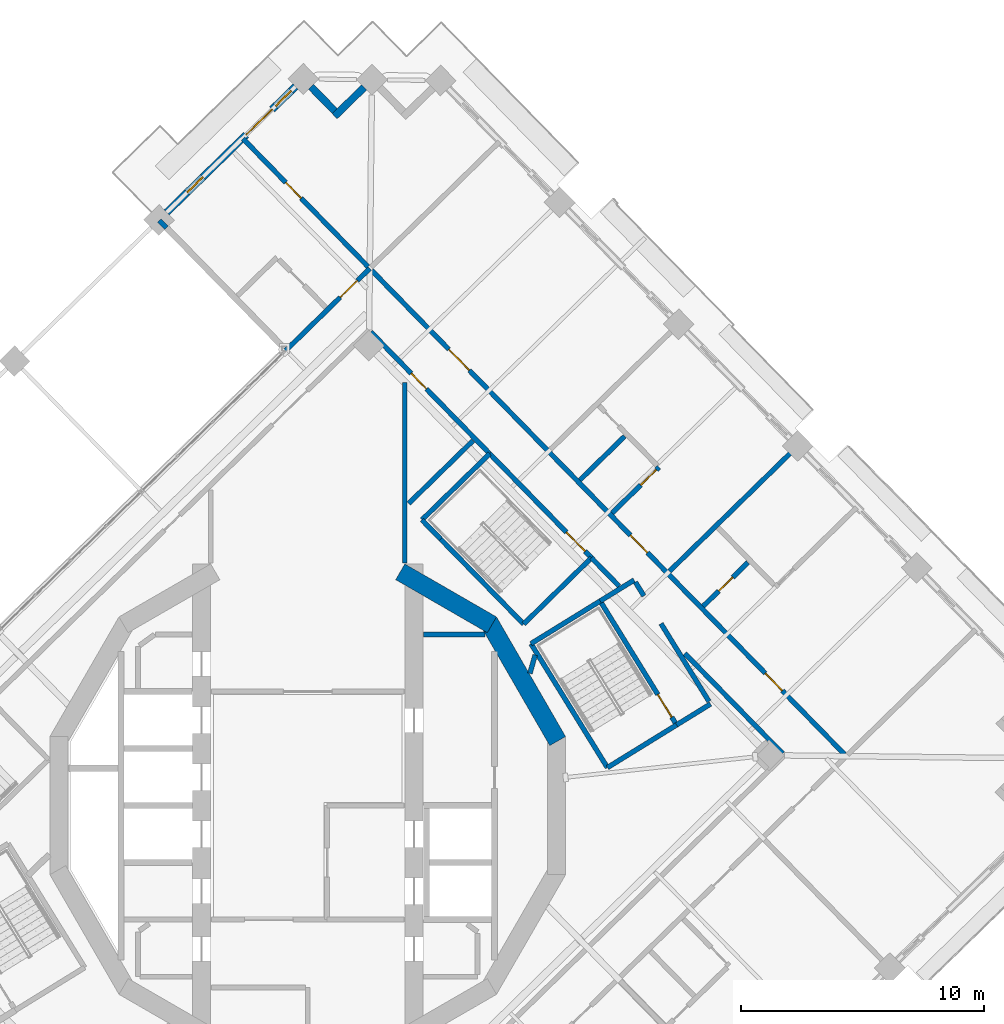
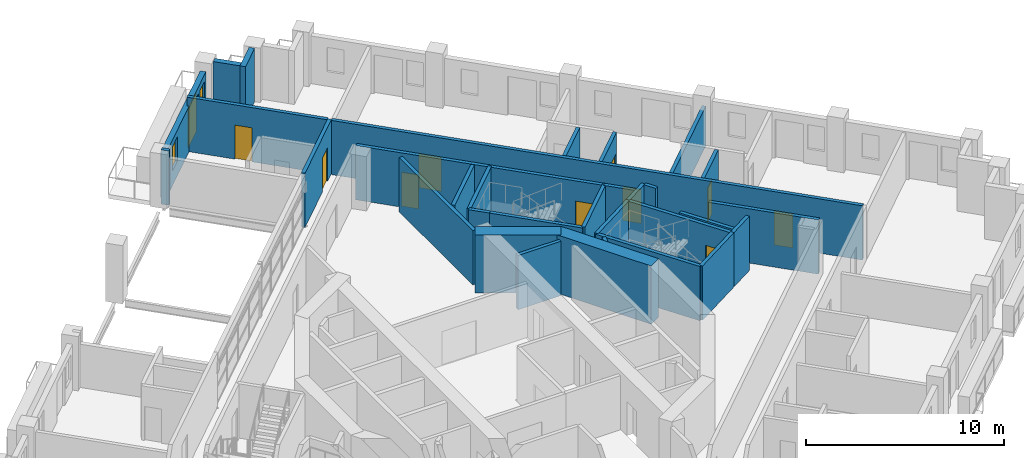
# One storey, part 10 of 18: 33 walls, 11 doors, 2 windows, 13 openings.
"""IFC4 building model written with IfcOpenShell, lengths in metres."""

import ifcopenshell
import ifcopenshell.guid

model = None  # the IFC model being written
_history = None  # IfcOwnerHistory: only IFC2X3 demands one
_inside = {}  # id of a spatial element -> (the spatial element, [elements in it])
_under = {}  # id of a project, library or spatial element -> (it, [spatial elements below it])
_declared = {}  # id of a project -> (the project, [libraries it declares])
_typed = {}  # id of a type object -> (the type object, [elements of that type])
_made_of = {}  # id of a material, layer set ... -> (it, [elements and type objects made of it])


def new_model(schema):
    """Start an empty IFC model of exactly this schema.

    Asked for "IFC4X3", IfcOpenShell would pick the latest addendum, in which some entities
    have other attributes; the version numbers below select the first issue.
    IFC2X3 requires an IfcOwnerHistory on every rooted entity: one is made here for all.
    """
    global model, _history
    if schema == "IFC4X3":
        model = ifcopenshell.file(schema_version=(4, 3, 0, 0))
    else:
        model = ifcopenshell.file(schema=schema)
    _inside.clear()
    _under.clear()
    _declared.clear()
    _typed.clear()
    _made_of.clear()
    _history = None
    if model.schema == "IFC2X3":
        org = make("IfcOrganization", Name="unknown")
        user = make(
            "IfcPersonAndOrganization",
            ThePerson=make("IfcPerson", FamilyName="unknown"),
            TheOrganization=org,
        )
        app = make(
            "IfcApplication",
            ApplicationDeveloper=org,
            Version="unknown",
            ApplicationFullName="unknown",
            ApplicationIdentifier="unknown",
        )
        _history = make(
            "IfcOwnerHistory",
            OwningUser=user,
            OwningApplication=app,
            ChangeAction="ADDED",
            CreationDate=0,
        )
    return model


def make(cls, **values):
    """One entity of the class cls with the attributes given. An attribute that is None is left unset."""
    return model.create_entity(
        cls, **{name: value for name, value in values.items() if value is not None}
    )


def rooted(cls, **values):
    """An entity with a GlobalId (a new one), such as an element, a storey or a relation."""
    return make(cls, GlobalId=ifcopenshell.guid.new(), OwnerHistory=_history, **values)


def si_unit(unit_type, name, prefix=None):
    """IfcSIUnit, for example si_unit("LENGTHUNIT", "METRE", prefix="MILLI")."""
    return make("IfcSIUnit", UnitType=unit_type, Prefix=prefix, Name=name)


def assignment(units):
    """IfcUnitAssignment: the units of a project."""
    return None if units is None else make("IfcUnitAssignment", Units=units)


def point(xyz):
    """IfcCartesianPoint."""
    return None if xyz is None else make("IfcCartesianPoint", Coordinates=xyz)


def direction(xyz):
    """IfcDirection."""
    return None if xyz is None else make("IfcDirection", DirectionRatios=xyz)


def frame(location, z_axis=None, x_axis=None):
    """IfcAxis2Placement3D, a coordinate frame: its origin and axes. An axis left out is left unset."""
    return make(
        "IfcAxis2Placement3D",
        Location=point(location),
        Axis=direction(z_axis),
        RefDirection=direction(x_axis),
    )


def frame_2d(location, x_axis=None):
    """IfcAxis2Placement2D, a coordinate frame in the plane: its origin and x axis."""
    return make(
        "IfcAxis2Placement2D", Location=point(location), RefDirection=direction(x_axis)
    )


def origin():
    """The frame at (0, 0, 0) with its axes left unset."""
    return frame((0.0, 0.0, 0.0))


def place(relative_to, where):
    """IfcLocalPlacement: puts the frame where relative to a parent placement (None: the world)."""
    return make(
        "IfcLocalPlacement", PlacementRelTo=relative_to, RelativePlacement=where
    )


def context(
    kind, dimensions, precision=None, world=None, true_north=None, identifier=None
):
    """IfcGeometricRepresentationContext, for example the 3D "Model" context."""
    return make(
        "IfcGeometricRepresentationContext",
        ContextIdentifier=identifier,
        ContextType=kind,
        CoordinateSpaceDimension=dimensions,
        Precision=precision,
        WorldCoordinateSystem=world,
        TrueNorth=true_north,
    )


def subcontext(parent, identifier, kind, view, scale=None):
    """IfcGeometricRepresentationSubContext, for example "Body" below "Model"."""
    return make(
        "IfcGeometricRepresentationSubContext",
        ContextIdentifier=identifier,
        ContextType=kind,
        ParentContext=parent,
        TargetScale=scale,
        TargetView=view,
    )


def project(units=None, contexts=None):
    """IfcProject with its units and contexts."""
    return rooted(
        "IfcProject",
        Name="project",
        RepresentationContexts=contexts,
        UnitsInContext=assignment(units),
    )


def spatial(cls, under=None, at=None, **own):
    """A site, building, storey or space (cls), placed at a placement, below another one or the project."""
    s = rooted(cls, ObjectPlacement=at, **own)
    if under is not None:
        _under.setdefault(under.id(), (under, []))[1].append(s)
    return s


def profile(cls, at=None, kind="AREA", **sizes):
    """A parametric profile (cls). Its sizes go by their IFC names, for example OverallWidth=200.0."""
    return make(cls, ProfileType=kind, Position=at, **sizes)


def rectangle(**sizes):
    """IfcRectangleProfileDef."""
    return profile("IfcRectangleProfileDef", **sizes)


def extrude(swept, where, along, depth):
    """IfcExtrudedAreaSolid: the profile swept, set in the frame where, extruded along a direction by depth."""
    return make(
        "IfcExtrudedAreaSolid",
        SweptArea=swept,
        Position=where,
        ExtrudedDirection=direction(along),
        Depth=depth,
    )


def shape(context_of_items, identifier, shape_type, items):
    """IfcShapeRepresentation: the items that make up one representation, for example the "Body"."""
    return make(
        "IfcShapeRepresentation",
        ContextOfItems=context_of_items,
        RepresentationIdentifier=identifier,
        RepresentationType=shape_type,
        Items=items,
    )


def material(Name=None, Category=None):
    """IfcMaterial."""
    return make("IfcMaterial", Name=Name, Category=Category)


def layer(
    of_material, thickness, ventilated=None, Name=None, Category=None, Priority=None
):
    """IfcMaterialLayer: one layer of a wall or slab, of a material (None: an air gap)."""
    return make(
        "IfcMaterialLayer",
        Material=of_material,
        LayerThickness=thickness,
        IsVentilated=ventilated,
        Name=Name,
        Category=Category,
        Priority=Priority,
    )


def layer_set(layers, Name=None):
    """IfcMaterialLayerSet."""
    return make("IfcMaterialLayerSet", MaterialLayers=layers, LayerSetName=Name)


def made_of(thing, what):
    """Note that an element or type object is made of a material, layer set ...; save() writes the relation."""
    if what is not None:
        _made_of.setdefault(what.id(), (what, []))[1].append(thing)
    return thing


def type_object(cls, material=None, **own):
    """A type object (cls), such as IfcWallType, which elements share."""
    return made_of(rooted(cls, **own), material)


def element(
    cls,
    number,
    at=None,
    inside=None,
    cuts=None,
    type_object=None,
    material=None,
    context=None,
    identifier="Body",
    shape_type=None,
    held_by="IfcProductDefinitionShape",
    body=None,
    shapes=None,
    **own,
):
    """One element of the class cls, such as IfcWall. Its Tag is "e" and its number.

    at: its placement. inside: the storey or other place that contains it. cuts: it is an
    opening in that element (IfcRelVoidsElement). A single representation is given by context,
    identifier, shape_type and body (its items); several are given by shapes. held_by: the class
    of the entity that holds the representations. save() writes the other relations.
    """
    e = rooted(cls, Tag="e%d" % number, ObjectPlacement=at, **own)
    if body is not None:
        shapes = [shape(context, identifier, shape_type, body)]
    if shapes is not None:
        e.Representation = make(held_by, Representations=shapes)
    if inside is not None:
        _inside.setdefault(inside.id(), (inside, []))[1].append(e)
    if cuts is not None:
        rooted(
            "IfcRelVoidsElement", RelatingBuildingElement=cuts, RelatedOpeningElement=e
        )
    if type_object is not None:
        _typed.setdefault(type_object.id(), (type_object, []))[1].append(e)
    return made_of(e, material)


def fill(opening, filler):
    """IfcRelFillsElement: the door or window that sits in an opening."""
    return rooted(
        "IfcRelFillsElement",
        RelatingOpeningElement=opening,
        RelatedBuildingElement=filler,
    )


def aggregate(whole, parts):
    """IfcRelAggregates: a whole, such as a stair, and the parts it consists of."""
    return rooted("IfcRelAggregates", RelatingObject=whole, RelatedObjects=parts)


def save(model, path):
    """Write the relations noted so far, then the file.

    IfcRelAggregates (storeys below a building ...), IfcRelContainedInSpatialStructure (elements
    in a storey), IfcRelDefinesByType, IfcRelAssociatesMaterial and IfcRelDeclares: one each for
    every whole, place, type object, material and project.
    """
    for whole, parts in _under.values():
        aggregate(whole, parts)
    for where, things in _inside.values():
        rooted(
            "IfcRelContainedInSpatialStructure",
            RelatedElements=things,
            RelatingStructure=where,
        )
    for kind, things in _typed.values():
        rooted("IfcRelDefinesByType", RelatedObjects=things, RelatingType=kind)
    for what, things in _made_of.values():
        rooted("IfcRelAssociatesMaterial", RelatedObjects=things, RelatingMaterial=what)
    for by, libraries in _declared.values():
        rooted("IfcRelDeclares", RelatingContext=by, RelatedDefinitions=libraries)
    model.write(path)


model = new_model("IFC4")

# Units and contexts
model_context = context("Model", 3, precision=1e-05, world=origin(), true_north=direction((0.0, 1.0)))
body_context = subcontext(model_context, "Body", "Model", "MODEL_VIEW")
ifc_project = project(units=[si_unit("LENGTHUNIT", "METRE"), si_unit("AREAUNIT", "SQUARE_METRE"), si_unit("VOLUMEUNIT", "CUBIC_METRE"), si_unit("PLANEANGLEUNIT", "RADIAN"), si_unit("MASSUNIT", "GRAM", prefix="KILO")], contexts=[model_context])

# Site, building, storey
site_placement = place(None, origin())
site = spatial("IfcSite", under=ifc_project, at=site_placement, CompositionType="ELEMENT")
building_placement = place(site_placement, origin())
building = spatial("IfcBuilding", under=site, at=building_placement, Name="Cantera Rosa Tower", CompositionType="ELEMENT")
storey_placement = place(building_placement, frame((0.0, 0.0, 219.800048828125)))
storey = spatial("IfcBuildingStorey", under=building, at=storey_placement, Name="L47", CompositionType="ELEMENT", Elevation=219.800048828125)

# Wall
ifc_material_1 = material(Name="Gypsum board partition")
ifc_layer_1 = layer(ifc_material_1, 0.199951171875)
ifc_layer_set_1 = layer_set([ifc_layer_1], Name="CORRIDOR WALL 200 H2300")
wall_type_1 = type_object("IfcWallType", Name="CORRIDOR WALL 200 H2300", PredefinedType="PARTITIONING", material=ifc_layer_set_1)
wall_1_placement = place(storey_placement, frame((16.53759765625, 4.291748046875, 0.0), z_axis=(0.0, 0.0, 1.0), x_axis=(-0.524978610061, 0.85111542048, 0.0)))
element("IfcWall", 1, at=wall_1_placement, inside=storey, type_object=wall_type_1, Name="CORRIDOR WALL L47-115", PredefinedType="PARTITIONING", context=body_context, shape_type="SweptSolid", body=[
    extrude(rectangle(XDim=3.7705078125, YDim=0.199951171875, at=frame_2d((1.88525390625, 0.0))), origin(), (0.0, 0.0, 1.0), 2.300048828125),
])

# Wall, opening, door
ifc_material_2 = material(Name="Gypsum board partition")
ifc_layer_2 = layer(ifc_material_2, 0.199951171875)
ifc_layer_set_2 = layer_set([ifc_layer_2], Name="CORRIDOR WALL 200 H3350")
wall_type_2 = type_object("IfcWallType", Name="CORRIDOR WALL 200 H3350", PredefinedType="PARTITIONING", material=ifc_layer_set_2)
wall_2_placement = place(storey_placement, frame((2.555908203125, 22.1396484375, 0.0), z_axis=(0.0, 0.0, 1.0), x_axis=(-0.715279180478, -0.698838818309, 0.0)))
wall_2 = element("IfcWall", 2, at=wall_2_placement, inside=storey, type_object=wall_type_2, Name="CORRIDOR WALL L47-070", PredefinedType="PARTITIONING", context=body_context, shape_type="SweptSolid", body=[
    extrude(rectangle(XDim=4.945068359375, YDim=0.199951171875, at=frame_2d((2.47265625, 0.0))), origin(), (0.0, 0.0, 1.0), 3.349853515625),
])
opening_1_placement = place(wall_2_placement, frame((0.7099609375, 0.0, 0.0)))
opening_1 = element("IfcOpeningElement", 3, at=opening_1_placement, cuts=wall_2, Name="Opening L47-033", PredefinedType="OPENING", context=body_context, shape_type="SweptSolid", body=[
    extrude(rectangle(XDim=1.0, YDim=2.10009765625, at=frame_2d((0.5, 1.050048828125))), frame((0.0, 0.10986328125, 0.0), z_axis=(0.0, -1.0, 0.0), x_axis=(1.0, 0.0, 0.0)), (0.0, 0.0, 1.0), 0.219970703125),
])
ifc_material_3 = material(Name="Timber door leaf", Category="wood")
door_type_1 = type_object("IfcDoorType", Name="ENTRANCE DOOR 1000x2100", OperationType="NOTDEFINED", PredefinedType="DOOR", material=ifc_material_3)
door_1_placement = place(opening_1_placement, origin())
door_1 = element("IfcDoor", 4, at=door_1_placement, inside=storey, type_object=door_type_1, Name="DOOR L47-033", OperationType="NOTDEFINED", OverallHeight=2.10009765625, OverallWidth=1.0, PredefinedType="DOOR", context=body_context, shape_type="SweptSolid", body=[
    extrude(rectangle(XDim=1.0, YDim=2.10009765625, at=frame_2d((0.5, 1.050048828125))), frame((0.0, 0.02490234375, 0.0), z_axis=(0.0, -1.0, 0.0), x_axis=(1.0, 0.0, 0.0)), (0.0, 0.0, 1.0), 0.050048828125),
])
fill(opening_1, door_1)

# Wall
wall_3_placement = place(storey_placement, frame((4.0, 17.44189453125, 0.0), z_axis=(0.0, 0.0, 1.0), x_axis=(0.0, -1.0, 0.0)))
element("IfcWall", 5, at=wall_3_placement, inside=storey, type_object=wall_type_2, Name="CORRIDOR WALL L47-078", PredefinedType="PARTITIONING", context=body_context, shape_type="SweptSolid", body=[
    extrude(rectangle(XDim=7.44775390625, YDim=0.199951171875, at=frame_2d((3.723876953125, 0.0))), origin(), (0.0, 0.0, 1.0), 3.349853515625),
])

# Wall, opening, door
wall_4_placement = place(storey_placement, frame((7.498779296875, 14.50439453125, 0.0), z_axis=(0.0, 0.0, 1.0), x_axis=(-0.69881117118, 0.715306191106, 0.0)))
wall_4 = element("IfcWall", 6, at=wall_4_placement, inside=storey, type_object=wall_type_2, Name="CORRIDOR WALL L47-088", PredefinedType="PARTITIONING", context=body_context, shape_type="SweptSolid", body=[
    extrude(rectangle(XDim=7.015625, YDim=0.199951171875, at=frame_2d((3.5078125, 0.0))), origin(), (0.0, 0.0, 1.0), 3.349853515625),
])
opening_2_placement = place(wall_4_placement, frame((3.728515625, 0.0, 0.0)))
opening_2 = element("IfcOpeningElement", 7, at=opening_2_placement, cuts=wall_4, Name="Opening L47-007", PredefinedType="OPENING", context=body_context, shape_type="SweptSolid", body=[
    extrude(rectangle(XDim=0.89990234375, YDim=2.10009765625, at=frame_2d((0.449951171875, 1.050048828125))), frame((0.0, 0.10986328125, 0.0), z_axis=(0.0, -1.0, 0.0), x_axis=(1.0, 0.0, 0.0)), (0.0, 0.0, 1.0), 0.219970703125),
])
ifc_material_4 = material(Name="Timber door leaf", Category="wood")
door_type_2 = type_object("IfcDoorType", Name="SERVICE DOOR 900x2100", OperationType="NOTDEFINED", PredefinedType="DOOR", material=ifc_material_4)
door_2_placement = place(opening_2_placement, origin())
door_2 = element("IfcDoor", 8, at=door_2_placement, inside=storey, type_object=door_type_2, Name="DOOR L47-007", OperationType="NOTDEFINED", OverallHeight=2.10009765625, OverallWidth=0.89990234375, PredefinedType="DOOR", context=body_context, shape_type="SweptSolid", body=[
    extrude(rectangle(XDim=0.89990234375, YDim=2.10009765625, at=frame_2d((0.449951171875, 1.050048828125))), frame((0.0, 0.02490234375, 0.0), z_axis=(0.0, -1.0, 0.0), x_axis=(1.0, 0.0, 0.0)), (0.0, 0.0, 1.0), 0.050048828125),
])
fill(opening_2, door_2)

# Walls
wall_5_placement = place(storey_placement, frame((12.05078125, 8.4326171875, 0.0), z_axis=(0.0, 0.0, 1.0), x_axis=(0.851076929832, 0.525041007453, 0.0)))
element("IfcWall", 9, at=wall_5_placement, inside=storey, type_object=wall_type_2, Name="CORRIDOR WALL L47-102", PredefinedType="PARTITIONING", context=body_context, shape_type="SweptSolid", body=[
    extrude(rectangle(XDim=1.645263671875, YDim=0.199951171875, at=frame_2d((0.82275390625, 0.0))), origin(), (0.0, 0.0, 1.0), 3.349853515625),
])
wall_6_placement = place(storey_placement, frame((12.828125, 9.0498046875, 0.0), z_axis=(0.0, 0.0, 1.0), x_axis=(-0.698800279723, 0.715316831242, 0.0)))
element("IfcWall", 10, at=wall_6_placement, inside=storey, type_object=wall_type_2, Name="CORRIDOR WALL L47-108", PredefinedType="PARTITIONING", context=body_context, shape_type="SweptSolid", body=[
    extrude(rectangle(XDim=1.6259765625, YDim=0.199951171875, at=frame_2d((0.81298828125, 0.0))), origin(), (0.0, 0.0, 1.0), 3.349853515625),
])
wall_7_placement = place(storey_placement, frame((15.20068359375, 3.325927734375, 0.0), z_axis=(0.0, 0.0, 1.0), x_axis=(0.8510360128, 0.525107327047, 0.0)))
element("IfcWall", 11, at=wall_7_placement, inside=storey, type_object=wall_type_2, Name="CORRIDOR WALL L47-113", PredefinedType="PARTITIONING", context=body_context, shape_type="SweptSolid", body=[
    extrude(rectangle(XDim=1.64501953125, YDim=0.199951171875, at=frame_2d((0.822509765625, 0.0))), origin(), (0.0, 0.0, 1.0), 3.349853515625),
])
wall_8_placement = place(storey_placement, frame((13.8525390625, 8.64501953125, 0.0), z_axis=(0.0, 0.0, 1.0), x_axis=(-0.52487540685, 0.851179068871, 0.0)))
element("IfcWall", 12, at=wall_8_placement, inside=storey, type_object=wall_type_2, Name="CORRIDOR WALL L47-116", PredefinedType="PARTITIONING", context=body_context, shape_type="SweptSolid", body=[
    extrude(rectangle(XDim=0.6650390625, YDim=0.199951171875, at=frame_2d((0.33251953125, 0.0))), origin(), (0.0, 0.0, 1.0), 3.349853515625),
])
wall_9_placement = place(storey_placement, frame((19.57763671875, 2.14111328125, 0.0), z_axis=(0.0, 0.0, 1.0), x_axis=(-0.698830151438, 0.715287648042, 0.0)))
element("IfcWall", 13, at=wall_9_placement, inside=storey, type_object=wall_type_2, Name="CORRIDOR WALL L47-123", PredefinedType="PARTITIONING", context=body_context, shape_type="SweptSolid", body=[
    extrude(rectangle(XDim=5.770751953125, YDim=0.199951171875, at=frame_2d((2.88525390625, 0.0))), origin(), (0.0, 0.0, 1.0), 3.349853515625),
])

# Wall, openings, doors
wall_10_placement = place(storey_placement, frame((22.123291015625, 2.111572265625, 0.0), z_axis=(0.0, 0.0, 1.0), x_axis=(-0.698836336697, 0.715281605042, 0.0)))
wall_10 = element("IfcWall", 14, at=wall_10_placement, inside=storey, type_object=wall_type_2, Name="CORRIDOR WALL L47-124", PredefinedType="PARTITIONING", context=body_context, shape_type="SweptSolid", body=[
    extrude(rectangle(XDim=27.880126953125, YDim=0.199951171875, at=frame_2d((13.93994140625, 0.0))), origin(), (0.0, 0.0, 1.0), 3.349853515625),
])
opening_3_placement = place(wall_10_placement, frame((3.669921875, 0.0, 0.0)))
opening_3 = element("IfcOpeningElement", 15, at=opening_3_placement, cuts=wall_10, Name="Opening L47-023", PredefinedType="OPENING", context=body_context, shape_type="SweptSolid", body=[
    extrude(rectangle(XDim=1.0, YDim=2.10009765625, at=frame_2d((0.5, 1.050048828125))), frame((0.0, 0.10986328125, 0.0), z_axis=(0.0, -1.0, 0.0), x_axis=(1.0, 0.0, 0.0)), (0.0, 0.0, 1.0), 0.219970703125),
])
opening_4_placement = place(wall_10_placement, frame((22.1298828125, 0.0, 0.0)))
opening_4 = element("IfcOpeningElement", 16, at=opening_4_placement, cuts=wall_10, Name="Opening L47-026", PredefinedType="OPENING", context=body_context, shape_type="SweptSolid", body=[
    extrude(rectangle(XDim=1.199951171875, YDim=2.10009765625, at=frame_2d((0.60009765625, 1.050048828125))), frame((0.0, 0.10986328125, 0.0), z_axis=(0.0, -1.0, 0.0), x_axis=(1.0, 0.0, 0.0)), (0.0, 0.0, 1.0), 0.219970703125),
])
opening_5_placement = place(wall_10_placement, frame((11.625, 0.0, 0.0)))
opening_5 = element("IfcOpeningElement", 17, at=opening_5_placement, cuts=wall_10, Name="Opening L47-027", PredefinedType="OPENING", context=body_context, shape_type="SweptSolid", body=[
    extrude(rectangle(XDim=1.0, YDim=2.10009765625, at=frame_2d((0.5, 1.050048828125))), frame((0.0, 0.10986328125, 0.0), z_axis=(0.0, -1.0, 0.0), x_axis=(1.0, 0.0, 0.0)), (0.0, 0.0, 1.0), 0.219970703125),
])
door_3_placement = place(opening_3_placement, origin())
door_3 = element("IfcDoor", 18, at=door_3_placement, inside=storey, type_object=door_type_1, Name="DOOR L47-023", OperationType="NOTDEFINED", OverallHeight=2.10009765625, OverallWidth=1.0, PredefinedType="DOOR", context=body_context, shape_type="SweptSolid", body=[
    extrude(rectangle(XDim=1.0, YDim=2.10009765625, at=frame_2d((0.5, 1.050048828125))), frame((0.0, 0.02490234375, 0.0), z_axis=(0.0, -1.0, 0.0), x_axis=(1.0, 0.0, 0.0)), (0.0, 0.0, 1.0), 0.050048828125),
])
fill(opening_3, door_3)
door_4_placement = place(opening_5_placement, origin())
door_4 = element("IfcDoor", 19, at=door_4_placement, inside=storey, type_object=door_type_1, Name="DOOR L47-027", OperationType="NOTDEFINED", OverallHeight=2.10009765625, OverallWidth=1.0, PredefinedType="DOOR", context=body_context, shape_type="SweptSolid", body=[
    extrude(rectangle(XDim=1.0, YDim=2.10009765625, at=frame_2d((0.5, 1.050048828125))), frame((0.0, 0.02490234375, 0.0), z_axis=(0.0, -1.0, 0.0), x_axis=(1.0, 0.0, 0.0)), (0.0, 0.0, 1.0), 0.050048828125),
])
fill(opening_5, door_4)
ifc_material_5 = material(Name="Timber door leaf", Category="wood")
door_type_3 = type_object("IfcDoorType", Name="ROOM DOOR 1200x2100", OperationType="NOTDEFINED", PredefinedType="DOOR", material=ifc_material_5)
door_5_placement = place(opening_4_placement, origin())
door_5 = element("IfcDoor", 20, at=door_5_placement, inside=storey, type_object=door_type_3, Name="DOOR L47-026", OperationType="NOTDEFINED", OverallHeight=2.10009765625, OverallWidth=1.199951171875, PredefinedType="DOOR", context=body_context, shape_type="SweptSolid", body=[
    extrude(rectangle(XDim=1.199951171875, YDim=2.10009765625, at=frame_2d((0.60009765625, 1.050048828125))), frame((0.0, 0.02490234375, 0.0), z_axis=(0.0, -1.0, 0.0), x_axis=(1.0, 0.0, 0.0)), (0.0, 0.0, 1.0), 0.050048828125),
])
fill(opening_4, door_5)

# Walls
ifc_material_6 = material(Name="Hollow clay masonry with cantera stone cladding", Category="masonry")
ifc_layer_3 = layer(ifc_material_6, 0.300048828125)
ifc_layer_set_3 = layer_set([ifc_layer_3], Name="EW-LOGGIA 300")
wall_type_3 = type_object("IfcWallType", Name="EW-LOGGIA 300", PredefinedType="SOLIDWALL", material=ifc_layer_set_3)
wall_11_placement = place(storey_placement, frame((2.324462890625, 29.602783203125, 0.0), z_axis=(0.0, 0.0, 1.0), x_axis=(-0.715316077832, -0.69880105094, 0.0)))
element("IfcWall", 21, at=wall_11_placement, inside=storey, type_object=wall_type_3, Name="EN-L47-W06a", PredefinedType="SOLIDWALL", context=body_context, shape_type="SweptSolid", body=[
    extrude(rectangle(XDim=1.699951171875, YDim=0.300048828125, at=frame_2d((0.85009765625, 0.0))), origin(), (0.0, 0.0, 1.0), 3.300048828125),
])
wall_12_placement = place(storey_placement, frame((1.111083984375, 28.626953125, 0.0), z_axis=(0.0, 0.0, 1.0), x_axis=(-0.698951192766, 0.71516937164, 0.0)))
element("IfcWall", 22, at=wall_12_placement, inside=storey, type_object=wall_type_3, Name="EN-L47-W06b", PredefinedType="SOLIDWALL", context=body_context, shape_type="SweptSolid", body=[
    extrude(rectangle(XDim=1.39990234375, YDim=0.300048828125, at=frame_2d((0.699951171875, 0.0))), origin(), (0.0, 0.0, 1.0), 3.300048828125),
])

# Wall, openings, windows, door
ifc_material_7 = material(Name="Hollow clay masonry with cantera stone cladding", Category="masonry")
ifc_layer_4 = layer(ifc_material_7, 0.300048828125)
ifc_layer_set_4 = layer_set([ifc_layer_4], Name="EW-LOGGIA 300 H2820")
wall_type_4 = type_object("IfcWallType", Name="EW-LOGGIA 300 H2820", PredefinedType="SOLIDWALL", material=ifc_layer_set_4)
wall_13_placement = place(storey_placement, frame((-0.503662109375, 29.6357421875, 0.0), z_axis=(0.0, 0.0, 1.0), x_axis=(-0.715284379566, -0.698833496871, 0.0)))
wall_13 = element("IfcWall", 23, at=wall_13_placement, inside=storey, type_object=wall_type_4, Name="EN-L47-W07", PredefinedType="SOLIDWALL", context=body_context, shape_type="SweptSolid", body=[
    extrude(rectangle(XDim=7.42041015625, YDim=0.300048828125, at=frame_2d((3.710205078125, 0.0))), origin(), (0.0, 0.0, 1.0), 2.820068359375),
])
opening_6_placement = place(wall_13_placement, frame((0.25, 0.0, 0.89990234375)))
opening_6 = element("IfcOpeningElement", 24, at=opening_6_placement, cuts=wall_13, Name="Opening L47-W13", PredefinedType="OPENING", context=body_context, shape_type="SweptSolid", body=[
    extrude(rectangle(XDim=0.89990234375, YDim=1.5, at=frame_2d((0.449951171875, 0.75))), frame((0.0, 0.159912109375, 0.0), z_axis=(0.0, -1.0, 0.0), x_axis=(1.0, 0.0, 0.0)), (0.0, 0.0, 1.0), 0.320068359375),
])
opening_7_placement = place(wall_13_placement, frame((1.35009765625, 0.0, 0.0)))
opening_7 = element("IfcOpeningElement", 25, at=opening_7_placement, cuts=wall_13, Name="Opening L47-TD14", PredefinedType="OPENING", context=body_context, shape_type="SweptSolid", body=[
    extrude(rectangle(XDim=1.5, YDim=2.39990234375, at=frame_2d((0.75, 1.199951171875))), frame((0.0, 0.159912109375, 0.0), z_axis=(0.0, -1.0, 0.0), x_axis=(1.0, 0.0, 0.0)), (0.0, 0.0, 1.0), 0.320068359375),
])
opening_8_placement = place(wall_13_placement, frame((5.340087890625, 0.0, 0.89990234375)))
opening_8 = element("IfcOpeningElement", 26, at=opening_8_placement, cuts=wall_13, Name="Opening L47-W15", PredefinedType="OPENING", context=body_context, shape_type="SweptSolid", body=[
    extrude(rectangle(XDim=0.89990234375, YDim=1.5, at=frame_2d((0.449951171875, 0.75))), frame((0.0, 0.159912109375, 0.0), z_axis=(0.0, -1.0, 0.0), x_axis=(1.0, 0.0, 0.0)), (0.0, 0.0, 1.0), 0.320068359375),
])
ifc_material_8 = material(Name="Aluminium frame with clear glass", Category="aluminium")
window_type = type_object("IfcWindowType", Name="Residential window 900x1500", PartitioningType="SINGLE_PANEL", PredefinedType="WINDOW", material=ifc_material_8)
window_1_placement = place(opening_6_placement, origin())
window_1 = element("IfcWindow", 27, at=window_1_placement, inside=storey, type_object=window_type, Name="WINDOW L47-W13", OverallHeight=1.5, OverallWidth=0.89990234375, PartitioningType="SINGLE_PANEL", PredefinedType="WINDOW", context=body_context, shape_type="SweptSolid", body=[
    extrude(rectangle(XDim=0.89990234375, YDim=1.5, at=frame_2d((0.449951171875, 0.75))), frame((0.0, 0.030029296875, 0.0), z_axis=(0.0, -1.0, 0.0), x_axis=(1.0, 0.0, 0.0)), (0.0, 0.0, 1.0), 0.06005859375),
])
fill(opening_6, window_1)
window_2_placement = place(opening_8_placement, origin())
window_2 = element("IfcWindow", 28, at=window_2_placement, inside=storey, type_object=window_type, Name="WINDOW L47-W15", OverallHeight=1.5, OverallWidth=0.89990234375, PartitioningType="SINGLE_PANEL", PredefinedType="WINDOW", context=body_context, shape_type="SweptSolid", body=[
    extrude(rectangle(XDim=0.89990234375, YDim=1.5, at=frame_2d((0.449951171875, 0.75))), frame((0.0, 0.030029296875, 0.0), z_axis=(0.0, -1.0, 0.0), x_axis=(1.0, 0.0, 0.0)), (0.0, 0.0, 1.0), 0.06005859375),
])
fill(opening_8, window_2)
ifc_material_9 = material(Name="Aluminium frame with clear glass", Category="aluminium")
door_type_4 = type_object("IfcDoorType", Name="TD-R 1500x2400", OperationType="NOTDEFINED", PredefinedType="DOOR", material=ifc_material_9)
door_6_placement = place(opening_7_placement, origin())
door_6 = element("IfcDoor", 29, at=door_6_placement, inside=storey, type_object=door_type_4, Name="LOGGIA DOOR L47-TD14", OperationType="SLIDING_TO_LEFT", OverallHeight=2.39990234375, OverallWidth=1.5, PredefinedType="DOOR", context=body_context, shape_type="SweptSolid", body=[
    extrude(rectangle(XDim=1.5, YDim=2.39990234375, at=frame_2d((0.75, 1.199951171875))), frame((0.0, 0.02490234375, 0.0), z_axis=(0.0, -1.0, 0.0), x_axis=(1.0, 0.0, 0.0)), (0.0, 0.0, 1.0), 0.050048828125),
])
fill(opening_7, door_6)

# Wall
ifc_material_10 = material(Name="Gypsum board partition")
ifc_layer_5 = layer(ifc_material_10, 0.199951171875)
ifc_layer_set_5 = layer_set([ifc_layer_5], Name="PARTITION 200 H3350")
wall_type_5 = type_object("IfcWallType", Name="PARTITION 200 H3350", PredefinedType="PARTITIONING", material=ifc_layer_set_5)
wall_14_placement = place(storey_placement, frame((-5.818603515625, 23.81396484375, 0.0), z_axis=(0.0, 0.0, 1.0), x_axis=(-0.698628837203, 0.715484275039, 0.0)))
element("IfcWall", 30, at=wall_14_placement, inside=storey, type_object=wall_type_5, Name="PARTITION L47-061", PredefinedType="PARTITIONING", context=body_context, shape_type="SweptSolid", body=[
    extrude(rectangle(XDim=0.420166015625, YDim=0.199951171875, at=frame_2d((0.2099609375, 0.0))), origin(), (0.0, 0.0, 1.0), 3.349853515625),
])

# Wall, opening, door
wall_15_placement = place(storey_placement, frame((2.486083984375, 22.211181640625, 0.0), z_axis=(0.0, 0.0, 1.0), x_axis=(-0.698843600557, 0.715274508116, 0.0)))
wall_15 = element("IfcWall", 31, at=wall_15_placement, inside=storey, type_object=wall_type_5, Name="PARTITION L47-073", PredefinedType="PARTITIONING", context=body_context, shape_type="SweptSolid", body=[
    extrude(rectangle(XDim=7.369873046875, YDim=0.199951171875, at=frame_2d((3.68505859375, 0.0))), origin(), (0.0, 0.0, 1.0), 3.349853515625),
])
opening_9_placement = place(wall_15_placement, frame((3.949951171875, 0.0, 0.0)))
opening_9 = element("IfcOpeningElement", 32, at=opening_9_placement, cuts=wall_15, Name="Opening L47-035", PredefinedType="OPENING", context=body_context, shape_type="SweptSolid", body=[
    extrude(rectangle(XDim=0.89990234375, YDim=2.10009765625, at=frame_2d((0.449951171875, 1.050048828125))), frame((0.0, 0.10986328125, 0.0), z_axis=(0.0, -1.0, 0.0), x_axis=(1.0, 0.0, 0.0)), (0.0, 0.0, 1.0), 0.219970703125),
])
ifc_material_11 = material(Name="Timber door leaf", Category="wood")
door_type_5 = type_object("IfcDoorType", Name="ROOM DOOR 900x2100", OperationType="NOTDEFINED", PredefinedType="DOOR", material=ifc_material_11)
door_7_placement = place(opening_9_placement, origin())
door_7 = element("IfcDoor", 33, at=door_7_placement, inside=storey, type_object=door_type_5, Name="DOOR L47-035", OperationType="NOTDEFINED", OverallHeight=2.10009765625, OverallWidth=0.89990234375, PredefinedType="DOOR", context=body_context, shape_type="SweptSolid", body=[
    extrude(rectangle(XDim=0.89990234375, YDim=2.10009765625, at=frame_2d((0.449951171875, 1.050048828125))), frame((0.0, 0.02490234375, 0.0), z_axis=(0.0, -1.0, 0.0), x_axis=(1.0, 0.0, 0.0)), (0.0, 0.0, 1.0), 0.050048828125),
])
fill(opening_9, door_7)

# Walls
wall_16_placement = place(storey_placement, frame((4.780029296875, 7.050048828125, 0.0), z_axis=(0.0, 0.0, 1.0), x_axis=(1.0, 0.0, 0.0)))
element("IfcWall", 34, at=wall_16_placement, inside=storey, type_object=wall_type_5, Name="PARTITION L47-081", PredefinedType="PARTITIONING", context=body_context, shape_type="SweptSolid", body=[
    extrude(rectangle(XDim=2.517822265625, YDim=0.199951171875, at=frame_2d((1.2587890625, 0.0))), origin(), (0.0, 0.0, 1.0), 3.349853515625),
])
wall_17_placement = place(storey_placement, frame((6.80810546875, 15.039794921875, 0.0), z_axis=(0.0, 0.0, 1.0), x_axis=(-0.715261294022, -0.698857125079, 0.0)))
element("IfcWall", 35, at=wall_17_placement, inside=storey, type_object=wall_type_5, Name="PARTITION L47-085", PredefinedType="PARTITIONING", context=body_context, shape_type="SweptSolid", body=[
    extrude(rectangle(XDim=3.705810546875, YDim=0.199951171875, at=frame_2d((1.85302734375, 0.0))), origin(), (0.0, 0.0, 1.0), 3.349853515625),
])
wall_18_placement = place(storey_placement, frame((9.156494140625, 5.45068359375, 0.0), z_axis=(0.0, 0.0, 1.0), x_axis=(0.272879725043, 0.962048156622, 0.0)))
element("IfcWall", 36, at=wall_18_placement, inside=storey, type_object=wall_type_5, Name="PARTITION L47-093", PredefinedType="PARTITIONING", context=body_context, shape_type="SweptSolid", body=[
    extrude(rectangle(XDim=0.788330078125, YDim=0.199951171875, at=frame_2d((0.39404296875, 0.0))), origin(), (0.0, 0.0, 1.0), 3.349853515625),
])
wall_19_placement = place(storey_placement, frame((13.0615234375, 15.2216796875, 0.0), z_axis=(0.0, 0.0, 1.0), x_axis=(-0.715291472517, -0.698826236875, 0.0)))
element("IfcWall", 37, at=wall_19_placement, inside=storey, type_object=wall_type_5, Name="PARTITION L47-109", PredefinedType="PARTITIONING", context=body_context, shape_type="SweptSolid", body=[
    extrude(rectangle(XDim=2.580078125, YDim=0.199951171875, at=frame_2d((1.2900390625, 0.0))), origin(), (0.0, 0.0, 1.0), 3.349853515625),
])

# Wall, opening, door
wall_20_placement = place(storey_placement, frame((14.47509765625, 13.9462890625, 0.0), z_axis=(0.0, 0.0, 1.0), x_axis=(-0.715332030197, -0.698784721194, 0.0)))
wall_20 = element("IfcWall", 38, at=wall_20_placement, inside=storey, type_object=wall_type_5, Name="PARTITION L47-111", PredefinedType="PARTITIONING", context=body_context, shape_type="SweptSolid", body=[
    extrude(rectangle(XDim=2.699951171875, YDim=0.199951171875, at=frame_2d((1.35009765625, 0.0))), origin(), (0.0, 0.0, 1.0), 3.349853515625),
])
opening_10_placement = place(wall_20_placement, frame((0.14990234375, 0.0, 0.0)))
opening_10 = element("IfcOpeningElement", 39, at=opening_10_placement, cuts=wall_20, Name="Opening L47-029", PredefinedType="OPENING", context=body_context, shape_type="SweptSolid", body=[
    extrude(rectangle(XDim=0.89990234375, YDim=2.10009765625, at=frame_2d((0.449951171875, 1.050048828125))), frame((0.0, 0.10986328125, 0.0), z_axis=(0.0, -1.0, 0.0), x_axis=(1.0, 0.0, 0.0)), (0.0, 0.0, 1.0), 0.219970703125),
])
door_8_placement = place(opening_10_placement, origin())
door_8 = element("IfcDoor", 40, at=door_8_placement, inside=storey, type_object=door_type_5, Name="DOOR L47-029", OperationType="NOTDEFINED", OverallHeight=2.10009765625, OverallWidth=0.89990234375, PredefinedType="DOOR", context=body_context, shape_type="SweptSolid", body=[
    extrude(rectangle(XDim=0.89990234375, YDim=2.10009765625, at=frame_2d((0.449951171875, 1.050048828125))), frame((0.0, 0.02490234375, 0.0), z_axis=(0.0, -1.0, 0.0), x_axis=(1.0, 0.0, 0.0)), (0.0, 0.0, 1.0), 0.050048828125),
])
fill(opening_10, door_8)

wall_21_placement = place(storey_placement, frame((18.14208984375, 10.021484375, 0.0), z_axis=(0.0, 0.0, 1.0), x_axis=(-0.715337680074, -0.69877893748, 0.0)))
wall_21 = element("IfcWall", 41, at=wall_21_placement, inside=storey, type_object=wall_type_5, Name="PARTITION L47-119", PredefinedType="PARTITIONING", context=body_context, shape_type="SweptSolid", body=[
    extrude(rectangle(XDim=2.580078125, YDim=0.199951171875, at=frame_2d((1.2900390625, 0.0))), origin(), (0.0, 0.0, 1.0), 3.349853515625),
])
opening_11_placement = place(wall_21_placement, frame((0.8798828125, 0.0, 0.0)))
opening_11 = element("IfcOpeningElement", 42, at=opening_11_placement, cuts=wall_21, Name="Opening L47-024", PredefinedType="OPENING", context=body_context, shape_type="SweptSolid", body=[
    extrude(rectangle(XDim=0.800048828125, YDim=2.10009765625, at=frame_2d((0.39990234375, 1.050048828125))), frame((0.0, 0.10986328125, 0.0), z_axis=(0.0, -1.0, 0.0), x_axis=(1.0, 0.0, 0.0)), (0.0, 0.0, 1.0), 0.219970703125),
])
ifc_material_12 = material(Name="Timber door leaf", Category="wood")
door_type_6 = type_object("IfcDoorType", Name="BATHROOM DOOR 800x2100", OperationType="NOTDEFINED", PredefinedType="DOOR", material=ifc_material_12)
door_9_placement = place(opening_11_placement, origin())
door_9 = element("IfcDoor", 43, at=door_9_placement, inside=storey, type_object=door_type_6, Name="DOOR L47-024", OperationType="NOTDEFINED", OverallHeight=2.10009765625, OverallWidth=0.800048828125, PredefinedType="DOOR", context=body_context, shape_type="SweptSolid", body=[
    extrude(rectangle(XDim=0.800048828125, YDim=2.10009765625, at=frame_2d((0.39990234375, 1.050048828125))), frame((0.0, 0.02490234375, 0.0), z_axis=(0.0, -1.0, 0.0), x_axis=(1.0, 0.0, 0.0)), (0.0, 0.0, 1.0), 0.050048828125),
])
fill(opening_11, door_9)

# Walls
ifc_material_13 = material(Name="Gypsum board partition")
ifc_layer_6 = layer(ifc_material_13, 0.199951171875)
ifc_layer_set_6 = layer_set([ifc_layer_6], Name="PARTY WALL 200 H2450")
wall_type_6 = type_object("IfcWallType", Name="PARTY WALL 200 H2450", PredefinedType="PARTITIONING", material=ifc_layer_set_6)
wall_22_placement = place(storey_placement, frame((14.9130859375, 9.6630859375, 0.0), z_axis=(0.0, 0.0, 1.0), x_axis=(0.715296630095, 0.698820957739, 0.0)))
element("IfcWall", 44, at=wall_22_placement, inside=storey, type_object=wall_type_6, Name="PARTY WALL L47-112", PredefinedType="PARTITIONING", context=body_context, shape_type="SweptSolid", body=[
    extrude(rectangle(XDim=7.349853515625, YDim=0.199951171875, at=frame_2d((3.6748046875, 0.0))), origin(), (0.0, 0.0, 1.0), 2.449951171875),
])
ifc_material_14 = material(Name="Concrete C60/75", Category="concrete")
ifc_layer_7 = layer(ifc_material_14, 0.75)
ifc_layer_set_7 = layer_set([ifc_layer_7], Name="RC CORE WALL 750 C60/75")
wall_type_7 = type_object("IfcWallType", Name="RC CORE WALL 750 C60/75", PredefinedType="SHEAR", material=ifc_layer_set_7)
wall_23_placement = place(storey_placement, frame((3.8125, 9.634765625, 0.0), z_axis=(0.0, 0.0, 1.0), x_axis=(0.866013176292, -0.50002117804, 0.0)))
element("IfcWall", 45, at=wall_23_placement, inside=storey, type_object=wall_type_7, Name="CW-E1 L47", PredefinedType="SHEAR", context=body_context, shape_type="SweptSolid", body=[
    extrude(rectangle(XDim=4.362548828125, YDim=0.75, at=frame_2d((2.18115234375, 0.0))), origin(), (0.0, 0.0, 1.0), 3.599853515625),
])
wall_24_placement = place(storey_placement, frame((7.453369140625, 7.590576171875, 0.0), z_axis=(0.0, 0.0, 1.0), x_axis=(0.500021842983, -0.866012792365, 0.0)))
element("IfcWall", 46, at=wall_24_placement, inside=storey, type_object=wall_type_7, Name="CW-E2 L47", PredefinedType="SHEAR", context=body_context, shape_type="SweptSolid", body=[
    extrude(rectangle(XDim=5.694091796875, YDim=0.75, at=frame_2d((2.84716796875, 0.0))), origin(), (0.0, 0.0, 1.0), 3.599853515625),
])
ifc_material_15 = material(Name="Concrete C50/60", Category="concrete")
ifc_layer_8 = layer(ifc_material_15, 0.199951171875)
ifc_layer_set_8 = layer_set([ifc_layer_8], Name="STAIR WALL 200 H3350")
wall_type_8 = type_object("IfcWallType", Name="STAIR WALL 200 H3350", PredefinedType="SOLIDWALL", material=ifc_layer_set_8)
wall_25_placement = place(storey_placement, frame((4.705322265625, 11.775390625, 0.0), z_axis=(0.0, 0.0, 1.0), x_axis=(0.715310770212, 0.698806483956, 0.0)))
element("IfcWall", 47, at=wall_25_placement, inside=storey, type_object=wall_type_8, Name="STAIR WALL L47-079", PredefinedType="SOLIDWALL", context=body_context, shape_type="SweptSolid", body=[
    extrude(rectangle(XDim=3.9052734375, YDim=0.199951171875, at=frame_2d((1.95263671875, 0.0))), origin(), (0.0, 0.0, 1.0), 3.349853515625),
])
wall_26_placement = place(storey_placement, frame((8.8984375, 7.483642578125, 0.0), z_axis=(0.0, 0.0, 1.0), x_axis=(-0.698837952642, 0.715280026246, 0.0)))
element("IfcWall", 48, at=wall_26_placement, inside=storey, type_object=wall_type_8, Name="STAIR WALL L47-092", PredefinedType="SOLIDWALL", context=body_context, shape_type="SweptSolid", body=[
    extrude(rectangle(XDim=4.89990234375, YDim=0.199951171875, at=frame_2d((2.449951171875, 0.0))), origin(), (0.0, 0.0, 1.0), 3.349853515625),
])
wall_27_placement = place(storey_placement, frame((9.199462890625, 6.674072265625, 0.0), z_axis=(0.0, 0.0, 1.0), x_axis=(0.85113993661, 0.524938861495, 0.0)))
element("IfcWall", 49, at=wall_27_placement, inside=storey, type_object=wall_type_8, Name="STAIR WALL L47-094", PredefinedType="SOLIDWALL", context=body_context, shape_type="SweptSolid", body=[
    extrude(rectangle(XDim=3.35009765625, YDim=0.199951171875, at=frame_2d((1.675048828125, 0.0))), origin(), (0.0, 0.0, 1.0), 3.349853515625),
])

# Wall, opening, door
wall_28_placement = place(storey_placement, frame((11.69189453125, 10.212890625, 0.0), z_axis=(0.0, 0.0, 1.0), x_axis=(-0.698860098963, 0.71525838833, 0.0)))
wall_28 = element("IfcWall", 50, at=wall_28_placement, inside=storey, type_object=wall_type_8, Name="STAIR WALL L47-098", PredefinedType="SOLIDWALL", context=body_context, shape_type="SweptSolid", body=[
    extrude(rectangle(XDim=6.0, YDim=0.199951171875, at=frame_2d((3.0, 0.0))), origin(), (0.0, 0.0, 1.0), 3.349853515625),
])
opening_12_placement = place(wall_28_placement, frame((0.375, 0.0, 0.0)))
opening_12 = element("IfcOpeningElement", 51, at=opening_12_placement, cuts=wall_28, Name="Opening L47-003", PredefinedType="OPENING", context=body_context, shape_type="SweptSolid", body=[
    extrude(rectangle(XDim=1.10009765625, YDim=2.10009765625, at=frame_2d((0.550048828125, 1.050048828125))), frame((0.0, 0.10986328125, 0.0), z_axis=(0.0, -1.0, 0.0), x_axis=(1.0, 0.0, 0.0)), (0.0, 0.0, 1.0), 0.219970703125),
])
ifc_material_16 = material(Name="Steel S355J2 (EN 10025-2)", Category="steel")
door_type_7 = type_object("IfcDoorType", Name="STAIR DOOR 1100x2100", OperationType="NOTDEFINED", PredefinedType="DOOR", material=ifc_material_16)
door_10_placement = place(opening_12_placement, origin())
door_10 = element("IfcDoor", 52, at=door_10_placement, inside=storey, type_object=door_type_7, Name="DOOR L47-003", OperationType="NOTDEFINED", OverallHeight=2.10009765625, OverallWidth=1.10009765625, PredefinedType="DOOR", context=body_context, shape_type="SweptSolid", body=[
    extrude(rectangle(XDim=1.10009765625, YDim=2.10009765625, at=frame_2d((0.550048828125, 1.050048828125))), frame((0.0, 0.02490234375, 0.0), z_axis=(0.0, -1.0, 0.0), x_axis=(1.0, 0.0, 0.0)), (0.0, 0.0, 1.0), 0.050048828125),
])
fill(opening_12, door_10)

# Wall
wall_29_placement = place(storey_placement, frame((11.69189453125, 10.212890625, 0.0), z_axis=(0.0, 0.0, 1.0), x_axis=(-0.715279521258, -0.698838469511, 0.0)))
element("IfcWall", 53, at=wall_29_placement, inside=storey, type_object=wall_type_8, Name="STAIR WALL L47-099", PredefinedType="SOLIDWALL", context=body_context, shape_type="SweptSolid", body=[
    extrude(rectangle(XDim=3.905517578125, YDim=0.199951171875, at=frame_2d((1.95263671875, 0.0))), origin(), (0.0, 0.0, 1.0), 3.349853515625),
])

# Wall, opening, door
wall_30_placement = place(storey_placement, frame((12.05078125, 8.4326171875, 0.0), z_axis=(0.0, 0.0, 1.0), x_axis=(0.524982543144, -0.851112994493, 0.0)))
wall_30 = element("IfcWall", 54, at=wall_30_placement, inside=storey, type_object=wall_type_8, Name="STAIR WALL L47-103", PredefinedType="SOLIDWALL", context=body_context, shape_type="SweptSolid", body=[
    extrude(rectangle(XDim=6.0, YDim=0.199951171875, at=frame_2d((3.0, 0.0))), origin(), (0.0, 0.0, 1.0), 3.349853515625),
])
opening_13_placement = place(wall_30_placement, frame((4.52490234375, 0.0, 0.0)))
opening_13 = element("IfcOpeningElement", 55, at=opening_13_placement, cuts=wall_30, Name="Opening L47-001", PredefinedType="OPENING", context=body_context, shape_type="SweptSolid", body=[
    extrude(rectangle(XDim=1.10009765625, YDim=2.10009765625, at=frame_2d((0.550048828125, 1.050048828125))), frame((0.0, 0.10986328125, 0.0), z_axis=(0.0, -1.0, 0.0), x_axis=(1.0, 0.0, 0.0)), (0.0, 0.0, 1.0), 0.219970703125),
])
door_11_placement = place(opening_13_placement, origin())
door_11 = element("IfcDoor", 56, at=door_11_placement, inside=storey, type_object=door_type_7, Name="DOOR L47-001", OperationType="NOTDEFINED", OverallHeight=2.10009765625, OverallWidth=1.10009765625, PredefinedType="DOOR", context=body_context, shape_type="SweptSolid", body=[
    extrude(rectangle(XDim=1.10009765625, YDim=2.10009765625, at=frame_2d((0.550048828125, 1.050048828125))), frame((0.0, 0.02490234375, 0.0), z_axis=(0.0, -1.0, 0.0), x_axis=(1.0, 0.0, 0.0)), (0.0, 0.0, 1.0), 0.050048828125),
])
fill(opening_13, door_11)

# Walls
wall_31_placement = place(storey_placement, frame((12.349365234375, 1.5673828125, 0.0), z_axis=(0.0, 0.0, 1.0), x_axis=(-0.524982543144, 0.851112994493, 0.0)))
element("IfcWall", 57, at=wall_31_placement, inside=storey, type_object=wall_type_8, Name="STAIR WALL L47-105", PredefinedType="SOLIDWALL", context=body_context, shape_type="SweptSolid", body=[
    extrude(rectangle(XDim=6.0, YDim=0.199951171875, at=frame_2d((3.0, 0.0))), origin(), (0.0, 0.0, 1.0), 3.349853515625),
])
wall_32_placement = place(storey_placement, frame((12.349365234375, 1.5673828125, 0.0), z_axis=(0.0, 0.0, 1.0), x_axis=(0.85113993661, 0.524938861495, 0.0)))
element("IfcWall", 58, at=wall_32_placement, inside=storey, type_object=wall_type_8, Name="STAIR WALL L47-106", PredefinedType="SOLIDWALL", context=body_context, shape_type="SweptSolid", body=[
    extrude(rectangle(XDim=3.35009765625, YDim=0.199951171875, at=frame_2d((1.675048828125, 0.0))), origin(), (0.0, 0.0, 1.0), 3.349853515625),
])
wall_33_placement = place(storey_placement, frame((5.47412109375, 10.988525390625, 0.0), z_axis=(0.0, 0.0, 1.0), x_axis=(-0.698847807351, 0.715270397934, 0.0)))
element("IfcWall", 59, at=wall_33_placement, inside=storey, type_object=wall_type_8, Name="STAIR WALL L47-092 J", PredefinedType="SOLIDWALL", context=body_context, shape_type="SweptSolid", body=[
    extrude(rectangle(XDim=1.10009765625, YDim=0.199951171875, at=frame_2d((0.550048828125, 0.0))), origin(), (0.0, 0.0, 1.0), 3.349853515625),
])

save(model, "model.ifc")
